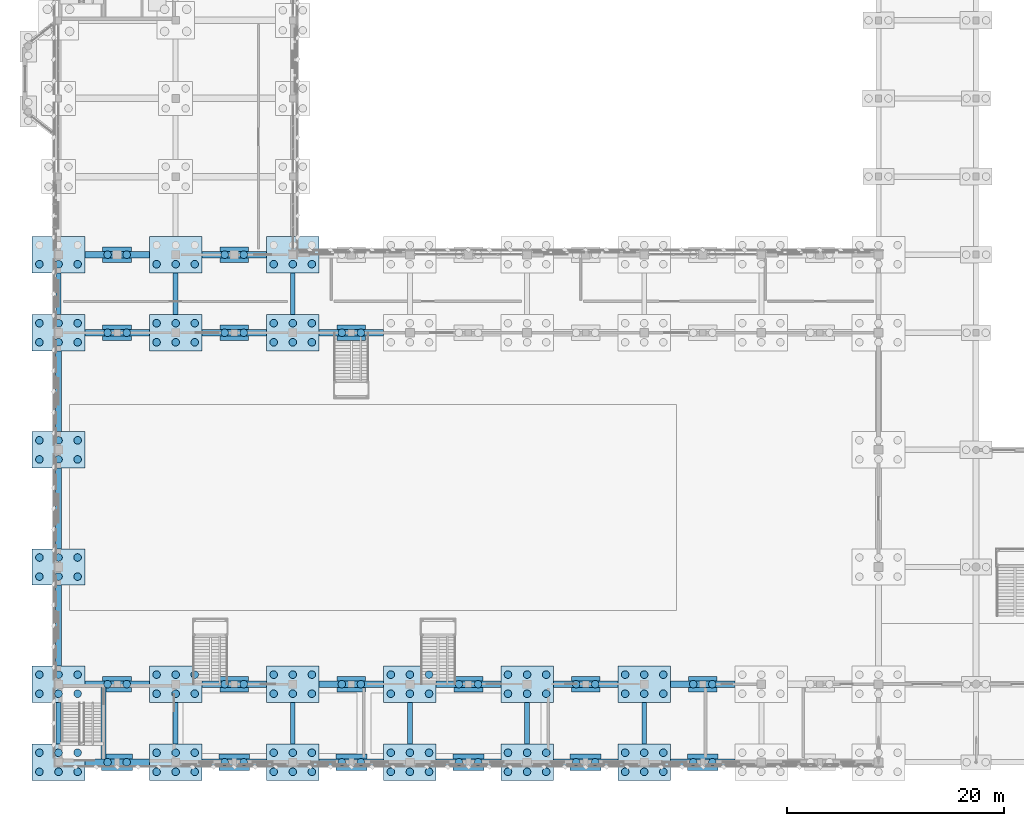
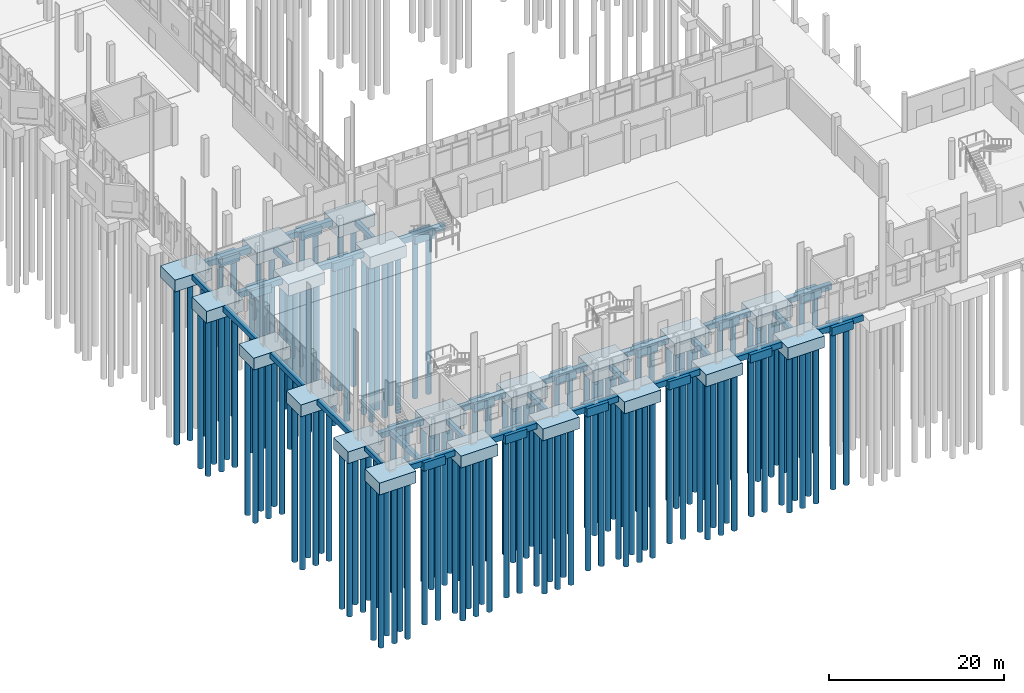
# One storey, part 1 of 109: 145 piles, 67 footings.
"""IFC4 building model written with IfcOpenShell, lengths in metres."""

from ifc_helpers import new_model, si_unit, direction, frame, origin, origin_2d, place, context, subcontext, project, spatial, rectangle, circle, extrude, material, material_profile, profile_set, type_object, element, save


model = new_model("IFC4")

# Units and contexts
model_context = context("Model", 3, precision=1e-05, world=origin(), true_north=direction((0.0, 1.0)))
body_context = subcontext(model_context, "Body", "Model", "MODEL_VIEW")
ifc_project = project(units=[si_unit("LENGTHUNIT", "METRE"), si_unit("AREAUNIT", "SQUARE_METRE"), si_unit("VOLUMEUNIT", "CUBIC_METRE"), si_unit("PLANEANGLEUNIT", "RADIAN"), si_unit("MASSUNIT", "GRAM", prefix="KILO")], contexts=[model_context])

# Site, building, storey
site_placement = place(None, origin())
site = spatial("IfcSite", under=ifc_project, at=site_placement, CompositionType="ELEMENT")
building_placement = place(site_placement, origin())
building = spatial("IfcBuilding", under=site, at=building_placement, Name="Lusvemor Sports Hall", CompositionType="ELEMENT")
storey_placement = place(building_placement, origin())
storey = spatial("IfcBuildingStorey", under=building, at=storey_placement, Name="L00", CompositionType="ELEMENT", Elevation=0.0)

# Footings
ifc_material_1 = material(Name="Concrete C40/50", Category="concrete")
ifc_material_profile_1 = material_profile(ifc_material_1, rectangle(XDim=0.449951171875, YDim=0.64990234375, at=origin_2d()), Name="GB_450x650")
ifc_profile_set_1 = profile_set([ifc_material_profile_1], Name="Concrete C40/50")
footing_type_1 = type_object("IfcFootingType", Name="GBEAM_450x650", PredefinedType="FOOTING_BEAM", material=ifc_profile_set_1)
for number, where, z_axis, x_axis, name in (
    (1, (0.0, 1.673095703125, -0.625), (0.0, 1.0, 0.0), (-1.0, 0.0, 0.0), "Ground Tie Beam 1:A-B"),
    (2, (0.0, 41.27294921875, -0.625), (0.0, 1.0, 0.0), (-1.0, 0.0, 0.0), "Ground Tie Beam 1:E-F"),
    (3, (10.800048828125, 1.673095703125, -0.625), (0.0, 1.0, 0.0), (-1.0, 0.0, 0.0), "Ground Tie Beam 2:A-B"),
    (4, (10.800048828125, 41.27294921875, -0.625), (0.0, 1.0, 0.0), (-1.0, 0.0, 0.0), "Ground Tie Beam 2:E-F"),
    (5, (21.60009765625, 1.673095703125, -0.625), (0.0, 1.0, 0.0), (-1.0, 0.0, 0.0), "Ground Tie Beam 3:A-B"),
    (6, (21.60009765625, 41.27294921875, -0.625), (0.0, 1.0, 0.0), (-1.0, 0.0, 0.0), "Ground Tie Beam 3:E-F"),
    (7, (32.39990234375, 1.673095703125, -0.625), (0.0, 1.0, 0.0), (-1.0, 0.0, 0.0), "Ground Tie Beam 4:A-B"),
    (8, (43.199951171875, 1.673095703125, -0.625), (0.0, 1.0, 0.0), (-1.0, 0.0, 0.0), "Ground Tie Beam 5:A-B"),
    (9, (54.0, 1.673095703125, -0.625), (0.0, 1.0, 0.0), (-1.0, 0.0, 0.0), "Ground Tie Beam 6:A-B"),
):
    element("IfcFooting", number, at=place(storey_placement, frame(where, z_axis=z_axis, x_axis=x_axis)), inside=storey, type_object=footing_type_1, Name=name, PredefinedType="FOOTING_BEAM", context=body_context, shape_type="SweptSolid", body=[
        extrude(rectangle(XDim=0.449951171875, YDim=0.64990234375, at=origin_2d()), origin(), (0.0, 0.0, 1.0), 3.85400390625),
    ])
ifc_material_2 = material(Name="Concrete C40/50", Category="concrete")
ifc_material_profile_2 = material_profile(ifc_material_2, rectangle(XDim=0.5, YDim=0.699951171875, at=origin_2d()), Name="GB_500x700")
ifc_profile_set_2 = profile_set([ifc_material_profile_2], Name="Concrete C40/50")
footing_type_2 = type_object("IfcFootingType", Name="GBEAM_500x700", PredefinedType="FOOTING_BEAM", material=ifc_profile_set_2)
footing_1_placement = place(storey_placement, frame((4.14990234375, 0.0, -0.64990234375), z_axis=(0.0, 1.0, 0.0), x_axis=(-1.0, 0.0, 0.0)))
element("IfcFooting", 10, at=footing_1_placement, inside=storey, type_object=footing_type_2, Name="Core C6 Southwest Hall Divider Ground Beam", PredefinedType="FOOTING_BEAM", context=body_context, shape_type="SweptSolid", body=[
    extrude(rectangle(XDim=0.5, YDim=0.699951171875, at=origin_2d()), origin(), (0.0, 0.0, 1.0), 7.199951171875),
])
ifc_material_3 = material(Name="Concrete C40/50", Category="concrete")
ifc_material_profile_3 = material_profile(ifc_material_3, rectangle(XDim=0.550048828125, YDim=0.75, at=origin_2d()), Name="GB_550x750")
ifc_profile_set_3 = profile_set([ifc_material_profile_3], Name="Concrete C40/50")
footing_type_3 = type_object("IfcFootingType", Name="GBEAM_550x750", PredefinedType="FOOTING_BEAM", material=ifc_profile_set_3)
for number, where, z_axis, x_axis, name in (
    (11, (0.0, 8.873046875, -0.675048828125), (0.0, 1.0, 0.0), (-1.0, 0.0, 0.0), "Ground Tie Beam 1:B-C"),
    (12, (0.0, 19.673095703125, -0.675048828125), (0.0, 1.0, 0.0), (-1.0, 0.0, 0.0), "Ground Tie Beam 1:C-D"),
):
    element("IfcFooting", number, at=place(storey_placement, frame(where, z_axis=z_axis, x_axis=x_axis)), inside=storey, type_object=footing_type_3, Name=name, PredefinedType="FOOTING_BEAM", context=body_context, shape_type="SweptSolid", body=[
        extrude(rectangle(XDim=0.550048828125, YDim=0.75, at=origin_2d()), origin(), (0.0, 0.0, 1.0), 7.453857421875),
    ])
footing_2_placement = place(storey_placement, frame((0.0, 30.472900390625, -0.675048828125), z_axis=(0.0, 1.0, 0.0), x_axis=(-1.0, 0.0, 0.0)))
element("IfcFooting", 13, at=footing_2_placement, inside=storey, type_object=footing_type_3, Name="Ground Tie Beam 1:D-E", PredefinedType="FOOTING_BEAM", context=body_context, shape_type="SweptSolid", body=[
    extrude(rectangle(XDim=0.550048828125, YDim=0.75, at=origin_2d()), origin(), (0.0, 0.0, 1.0), 7.4541015625),
])
ifc_material_4 = material(Name="Concrete C40/50", Category="concrete")
ifc_material_profile_4 = material_profile(ifc_material_4, rectangle(XDim=0.60009765625, YDim=0.800048828125, at=origin_2d()), Name="GB_600x800")
ifc_profile_set_4 = profile_set([ifc_material_profile_4], Name="Concrete C40/50")
footing_type_4 = type_object("IfcFootingType", Name="GBEAM_600x800", PredefinedType="FOOTING_BEAM", material=ifc_profile_set_4)
footing_3_placement = place(storey_placement, frame((2.423095703125, 0.0, -0.699951171875), z_axis=(1.0, 0.0, 0.0), x_axis=(0.0, 1.0, 0.0)))
element("IfcFooting", 14, at=footing_3_placement, inside=storey, type_object=footing_type_4, Name="Ground Tie Beam A:1-2", PredefinedType="FOOTING_BEAM", context=body_context, shape_type="SweptSolid", body=[
    extrude(rectangle(XDim=0.60009765625, YDim=0.800048828125, at=origin_2d()), origin(), (0.0, 0.0, 1.0), 5.953857421875),
])
for number, where, z_axis, x_axis, name in (
    (15, (13.222900390625, 0.0, -0.699951171875), (1.0, 0.0, 0.0), (0.0, 1.0, 0.0), "Ground Tie Beam A:2-3"),
    (16, (24.02294921875, 0.0, -0.699951171875), (1.0, 0.0, 0.0), (0.0, 1.0, 0.0), "Ground Tie Beam A:3-4"),
    (17, (34.822998046875, 0.0, -0.699951171875), (1.0, 0.0, 0.0), (0.0, 1.0, 0.0), "Ground Tie Beam A:4-5"),
):
    element("IfcFooting", number, at=place(storey_placement, frame(where, z_axis=z_axis, x_axis=x_axis)), inside=storey, type_object=footing_type_4, Name=name, PredefinedType="FOOTING_BEAM", context=body_context, shape_type="SweptSolid", body=[
        extrude(rectangle(XDim=0.60009765625, YDim=0.800048828125, at=origin_2d()), origin(), (0.0, 0.0, 1.0), 5.9541015625),
    ])
for number, where, z_axis, x_axis, name in (
    (18, (45.623046875, 0.0, -0.699951171875), (1.0, 0.0, 0.0), (0.0, 1.0, 0.0), "Ground Tie Beam A:5-6"),
    (19, (56.423095703125, 0.0, -0.699951171875), (1.0, 0.0, 0.0), (0.0, 1.0, 0.0), "Ground Tie Beam A:6-7"),
    (20, (2.423095703125, 7.199951171875, -0.699951171875), (1.0, 0.0, 0.0), (0.0, 1.0, 0.0), "Ground Tie Beam B:1-2"),
):
    element("IfcFooting", number, at=place(storey_placement, frame(where, z_axis=z_axis, x_axis=x_axis)), inside=storey, type_object=footing_type_4, Name=name, PredefinedType="FOOTING_BEAM", context=body_context, shape_type="SweptSolid", body=[
        extrude(rectangle(XDim=0.60009765625, YDim=0.800048828125, at=origin_2d()), origin(), (0.0, 0.0, 1.0), 5.953857421875),
    ])
for number, where, z_axis, x_axis, name in (
    (21, (13.222900390625, 7.199951171875, -0.699951171875), (1.0, 0.0, 0.0), (0.0, 1.0, 0.0), "Ground Tie Beam B:2-3"),
    (22, (24.02294921875, 7.199951171875, -0.699951171875), (1.0, 0.0, 0.0), (0.0, 1.0, 0.0), "Ground Tie Beam B:3-4"),
    (23, (34.822998046875, 7.199951171875, -0.699951171875), (1.0, 0.0, 0.0), (0.0, 1.0, 0.0), "Ground Tie Beam B:4-5"),
):
    element("IfcFooting", number, at=place(storey_placement, frame(where, z_axis=z_axis, x_axis=x_axis)), inside=storey, type_object=footing_type_4, Name=name, PredefinedType="FOOTING_BEAM", context=body_context, shape_type="SweptSolid", body=[
        extrude(rectangle(XDim=0.60009765625, YDim=0.800048828125, at=origin_2d()), origin(), (0.0, 0.0, 1.0), 5.9541015625),
    ])
for number, where, z_axis, x_axis, name in (
    (24, (45.623046875, 7.199951171875, -0.699951171875), (1.0, 0.0, 0.0), (0.0, 1.0, 0.0), "Ground Tie Beam B:5-6"),
    (25, (56.423095703125, 7.199951171875, -0.699951171875), (1.0, 0.0, 0.0), (0.0, 1.0, 0.0), "Ground Tie Beam B:6-7"),
    (26, (2.423095703125, 39.60009765625, -0.699951171875), (1.0, 0.0, 0.0), (0.0, 1.0, 0.0), "Ground Tie Beam E:1-2"),
):
    element("IfcFooting", number, at=place(storey_placement, frame(where, z_axis=z_axis, x_axis=x_axis)), inside=storey, type_object=footing_type_4, Name=name, PredefinedType="FOOTING_BEAM", context=body_context, shape_type="SweptSolid", body=[
        extrude(rectangle(XDim=0.60009765625, YDim=0.800048828125, at=origin_2d()), origin(), (0.0, 0.0, 1.0), 5.953857421875),
    ])
for number, where, z_axis, x_axis, name in (
    (27, (13.222900390625, 39.60009765625, -0.699951171875), (1.0, 0.0, 0.0), (0.0, 1.0, 0.0), "Ground Tie Beam E:2-3"),
    (28, (24.02294921875, 39.60009765625, -0.699951171875), (1.0, 0.0, 0.0), (0.0, 1.0, 0.0), "Ground Tie Beam E:3-4"),
):
    element("IfcFooting", number, at=place(storey_placement, frame(where, z_axis=z_axis, x_axis=x_axis)), inside=storey, type_object=footing_type_4, Name=name, PredefinedType="FOOTING_BEAM", context=body_context, shape_type="SweptSolid", body=[
        extrude(rectangle(XDim=0.60009765625, YDim=0.800048828125, at=origin_2d()), origin(), (0.0, 0.0, 1.0), 5.9541015625),
    ])
footing_4_placement = place(storey_placement, frame((2.423095703125, 46.800048828125, -0.699951171875), z_axis=(1.0, 0.0, 0.0), x_axis=(0.0, 1.0, 0.0)))
element("IfcFooting", 29, at=footing_4_placement, inside=storey, type_object=footing_type_4, Name="Ground Tie Beam F:1-2", PredefinedType="FOOTING_BEAM", context=body_context, shape_type="SweptSolid", body=[
    extrude(rectangle(XDim=0.60009765625, YDim=0.800048828125, at=origin_2d()), origin(), (0.0, 0.0, 1.0), 5.953857421875),
])
footing_5_placement = place(storey_placement, frame((13.222900390625, 46.800048828125, -0.699951171875), z_axis=(1.0, 0.0, 0.0), x_axis=(0.0, 1.0, 0.0)))
element("IfcFooting", 30, at=footing_5_placement, inside=storey, type_object=footing_type_4, Name="Ground Tie Beam F:2-3", PredefinedType="FOOTING_BEAM", context=body_context, shape_type="SweptSolid", body=[
    extrude(rectangle(XDim=0.60009765625, YDim=0.800048828125, at=origin_2d()), origin(), (0.0, 0.0, 1.0), 5.9541015625),
])
ifc_material_5 = material(Name="Concrete C40/50", Category="concrete")
footing_type_5 = type_object("IfcFootingType", Name="PCAP_2P_A", PredefinedType="PILE_CAP", material=ifc_material_5)
for number, where, z_axis, x_axis, name in (
    (31, (5.39990234375, 46.800048828125, -1.400146484375), (0.0, 0.0, 1.0), (1.0, 0.0, 0.0), "Wave Courtyard Cap N1"),
    (32, (5.39990234375, 7.199951171875, -1.400146484375), (0.0, 0.0, 1.0), (1.0, 0.0, 0.0), "Wave Mid-Bay Cap S1"),
    (33, (5.39990234375, 39.60009765625, -1.400146484375), (0.0, 0.0, 1.0), (1.0, 0.0, 0.0), "Wave Mid-Bay Cap N1"),
    (34, (16.199951171875, 46.800048828125, -1.400146484375), (0.0, 0.0, 1.0), (1.0, 0.0, 0.0), "Wave Courtyard Cap N2"),
    (35, (16.199951171875, 7.199951171875, -1.400146484375), (0.0, 0.0, 1.0), (1.0, 0.0, 0.0), "Wave Mid-Bay Cap S2"),
    (36, (16.199951171875, 39.60009765625, -1.400146484375), (0.0, 0.0, 1.0), (1.0, 0.0, 0.0), "Wave Mid-Bay Cap N2"),
    (37, (27.0, 7.199951171875, -1.400146484375), (0.0, 0.0, 1.0), (1.0, 0.0, 0.0), "Wave Mid-Bay Cap S3"),
    (38, (27.0, 39.60009765625, -1.400146484375), (0.0, 0.0, 1.0), (1.0, 0.0, 0.0), "Wave Mid-Bay Cap N3"),
    (39, (37.800048828125, 7.199951171875, -1.400146484375), (0.0, 0.0, 1.0), (1.0, 0.0, 0.0), "Wave Mid-Bay Cap S4"),
    (40, (48.60009765625, 7.199951171875, -1.400146484375), (0.0, 0.0, 1.0), (1.0, 0.0, 0.0), "Wave Mid-Bay Cap S5"),
    (41, (59.39990234375, 7.199951171875, -1.400146484375), (0.0, 0.0, 1.0), (1.0, 0.0, 0.0), "Wave Mid-Bay Cap S6"),
):
    element("IfcFooting", number, at=place(storey_placement, frame(where, z_axis=z_axis, x_axis=x_axis)), inside=storey, type_object=footing_type_5, Name=name, PredefinedType="PILE_CAP", context=body_context, shape_type="SweptSolid", body=[
        extrude(rectangle(XDim=2.64990234375, YDim=1.39990234375, at=origin_2d()), origin(), (0.0, 0.0, 1.0), 1.10009765625),
    ])
ifc_material_6 = material(Name="Concrete C40/50", Category="concrete")
footing_type_6 = type_object("IfcFootingType", Name="PCAP_2P_B", PredefinedType="PILE_CAP", material=ifc_material_6)
for number, where, z_axis, x_axis, name in (
    (42, (16.199951171875, 0.0, -1.449951171875), (0.0, 0.0, 1.0), (1.0, 0.0, 0.0), "Pilaster Cap S1"),
    (43, (27.0, 0.0, -1.449951171875), (0.0, 0.0, 1.0), (1.0, 0.0, 0.0), "Pilaster Cap S2"),
    (44, (37.800048828125, 0.0, -1.449951171875), (0.0, 0.0, 1.0), (1.0, 0.0, 0.0), "Pilaster Cap S3"),
    (45, (48.60009765625, 0.0, -1.449951171875), (0.0, 0.0, 1.0), (1.0, 0.0, 0.0), "Pilaster Cap S4"),
    (46, (59.39990234375, 0.0, -1.449951171875), (0.0, 0.0, 1.0), (1.0, 0.0, 0.0), "Pilaster Cap S5"),
    (47, (5.39990234375, 0.0, -1.449951171875), (0.0, 0.0, 1.0), (1.0, 0.0, 0.0), "Pilaster Cap S0"),
):
    element("IfcFooting", number, at=place(storey_placement, frame(where, z_axis=z_axis, x_axis=x_axis)), inside=storey, type_object=footing_type_6, Name=name, PredefinedType="PILE_CAP", context=body_context, shape_type="SweptSolid", body=[
        extrude(rectangle(XDim=2.85009765625, YDim=1.5, at=origin_2d()), origin(), (0.0, 0.0, 1.0), 1.14990234375),
    ])
ifc_material_7 = material(Name="Concrete C40/50", Category="concrete")
footing_type_7 = type_object("IfcFootingType", Name="PCAP_6P_HALL", PredefinedType="PILE_CAP", material=ifc_material_7)
for number, where, z_axis, x_axis, name in (
    (48, (0.0, 0.0, -1.949951171875), (0.0, 0.0, 1.0), (1.0, 0.0, 0.0), "Pile Cap 1/A"),
    (49, (0.0, 7.199951171875, -1.949951171875), (0.0, 0.0, 1.0), (1.0, 0.0, 0.0), "Pile Cap 1/B"),
    (50, (0.0, 18.0, -1.949951171875), (0.0, 0.0, 1.0), (1.0, 0.0, 0.0), "Pile Cap 1/C"),
    (51, (0.0, 28.800048828125, -1.949951171875), (0.0, 0.0, 1.0), (1.0, 0.0, 0.0), "Pile Cap 1/D"),
    (52, (0.0, 39.60009765625, -1.949951171875), (0.0, 0.0, 1.0), (1.0, 0.0, 0.0), "Pile Cap 1/E"),
    (53, (0.0, 46.800048828125, -1.949951171875), (0.0, 0.0, 1.0), (1.0, 0.0, 0.0), "Pile Cap 1/F"),
    (54, (10.800048828125, 0.0, -1.949951171875), (0.0, 0.0, 1.0), (1.0, 0.0, 0.0), "Pile Cap 2/A"),
    (55, (10.800048828125, 7.199951171875, -1.949951171875), (0.0, 0.0, 1.0), (1.0, 0.0, 0.0), "Pile Cap 2/B"),
    (56, (10.800048828125, 39.60009765625, -1.949951171875), (0.0, 0.0, 1.0), (1.0, 0.0, 0.0), "Pile Cap 2/E"),
    (57, (10.800048828125, 46.800048828125, -1.949951171875), (0.0, 0.0, 1.0), (1.0, 0.0, 0.0), "Pile Cap 2/F"),
    (58, (21.60009765625, 0.0, -1.949951171875), (0.0, 0.0, 1.0), (1.0, 0.0, 0.0), "Pile Cap 3/A"),
    (59, (21.60009765625, 7.199951171875, -1.949951171875), (0.0, 0.0, 1.0), (1.0, 0.0, 0.0), "Pile Cap 3/B"),
    (60, (21.60009765625, 39.60009765625, -1.949951171875), (0.0, 0.0, 1.0), (1.0, 0.0, 0.0), "Pile Cap 3/E"),
    (61, (21.60009765625, 46.800048828125, -1.949951171875), (0.0, 0.0, 1.0), (1.0, 0.0, 0.0), "Pile Cap 3/F"),
    (62, (32.39990234375, 0.0, -1.949951171875), (0.0, 0.0, 1.0), (1.0, 0.0, 0.0), "Pile Cap 4/A"),
    (63, (32.39990234375, 7.199951171875, -1.949951171875), (0.0, 0.0, 1.0), (1.0, 0.0, 0.0), "Pile Cap 4/B"),
    (64, (43.199951171875, 0.0, -1.949951171875), (0.0, 0.0, 1.0), (1.0, 0.0, 0.0), "Pile Cap 5/A"),
    (65, (43.199951171875, 7.199951171875, -1.949951171875), (0.0, 0.0, 1.0), (1.0, 0.0, 0.0), "Pile Cap 5/B"),
    (66, (54.0, 0.0, -1.949951171875), (0.0, 0.0, 1.0), (1.0, 0.0, 0.0), "Pile Cap 6/A"),
    (67, (54.0, 7.199951171875, -1.949951171875), (0.0, 0.0, 1.0), (1.0, 0.0, 0.0), "Pile Cap 6/B"),
):
    element("IfcFooting", number, at=place(storey_placement, frame(where, z_axis=z_axis, x_axis=x_axis)), inside=storey, type_object=footing_type_7, Name=name, PredefinedType="PILE_CAP", context=body_context, shape_type="SweptSolid", body=[
        extrude(rectangle(XDim=4.85009765625, YDim=3.35009765625, at=origin_2d()), origin(), (0.0, 0.0, 1.0), 1.64990234375),
    ])

# Piles
ifc_material_8 = material(Name="Concrete C40/50", Category="concrete")
ifc_material_profile_5 = material_profile(ifc_material_8, circle(Radius=0.35009765625, at=origin_2d()), Name="PILE700")
ifc_profile_set_5 = profile_set([ifc_material_profile_5], Name="Concrete C40/50")
pile_type = type_object("IfcPileType", Name="PILE_BORED_700", PredefinedType="BORED", material=ifc_profile_set_5)
for number, where, z_axis, x_axis, name in (
    (68, (-1.760009765625, -0.8798828125, -1.85009765625), (0.0, 0.0, -1.0), (1.0, 0.0, 0.0), "Bored Pile 1/A-1"),
    (69, (0.0, -0.8798828125, -1.85009765625), (0.0, 0.0, -1.0), (1.0, 0.0, 0.0), "Bored Pile 1/A-2"),
    (70, (1.760009765625, -0.8798828125, -1.85009765625), (0.0, 0.0, -1.0), (1.0, 0.0, 0.0), "Bored Pile 1/A-3"),
    (71, (-1.760009765625, 0.8798828125, -1.85009765625), (0.0, 0.0, -1.0), (1.0, 0.0, 0.0), "Bored Pile 1/A-4"),
    (72, (0.0, 0.8798828125, -1.85009765625), (0.0, 0.0, -1.0), (1.0, 0.0, 0.0), "Bored Pile 1/A-5"),
    (73, (1.760009765625, 0.8798828125, -1.85009765625), (0.0, 0.0, -1.0), (1.0, 0.0, 0.0), "Bored Pile 1/A-6"),
    (74, (-1.760009765625, 6.320068359375, -1.85009765625), (0.0, 0.0, -1.0), (1.0, 0.0, 0.0), "Bored Pile 1/B-1"),
    (75, (0.0, 6.320068359375, -1.85009765625), (0.0, 0.0, -1.0), (1.0, 0.0, 0.0), "Bored Pile 1/B-2"),
    (76, (1.760009765625, 6.320068359375, -1.85009765625), (0.0, 0.0, -1.0), (1.0, 0.0, 0.0), "Bored Pile 1/B-3"),
    (77, (-1.760009765625, 8.080078125, -1.85009765625), (0.0, 0.0, -1.0), (1.0, 0.0, 0.0), "Bored Pile 1/B-4"),
    (78, (0.0, 8.080078125, -1.85009765625), (0.0, 0.0, -1.0), (1.0, 0.0, 0.0), "Bored Pile 1/B-5"),
    (79, (1.760009765625, 8.080078125, -1.85009765625), (0.0, 0.0, -1.0), (1.0, 0.0, 0.0), "Bored Pile 1/B-6"),
    (80, (-1.760009765625, 17.1201171875, -1.85009765625), (0.0, 0.0, -1.0), (1.0, 0.0, 0.0), "Bored Pile 1/C-1"),
    (81, (0.0, 17.1201171875, -1.85009765625), (0.0, 0.0, -1.0), (1.0, 0.0, 0.0), "Bored Pile 1/C-2"),
    (82, (1.760009765625, 17.1201171875, -1.85009765625), (0.0, 0.0, -1.0), (1.0, 0.0, 0.0), "Bored Pile 1/C-3"),
    (83, (-1.760009765625, 18.8798828125, -1.85009765625), (0.0, 0.0, -1.0), (1.0, 0.0, 0.0), "Bored Pile 1/C-4"),
    (84, (0.0, 18.8798828125, -1.85009765625), (0.0, 0.0, -1.0), (1.0, 0.0, 0.0), "Bored Pile 1/C-5"),
    (85, (1.760009765625, 18.8798828125, -1.85009765625), (0.0, 0.0, -1.0), (1.0, 0.0, 0.0), "Bored Pile 1/C-6"),
    (86, (-1.760009765625, 27.919921875, -1.85009765625), (0.0, 0.0, -1.0), (1.0, 0.0, 0.0), "Bored Pile 1/D-1"),
    (87, (0.0, 27.919921875, -1.85009765625), (0.0, 0.0, -1.0), (1.0, 0.0, 0.0), "Bored Pile 1/D-2"),
    (88, (1.760009765625, 27.919921875, -1.85009765625), (0.0, 0.0, -1.0), (1.0, 0.0, 0.0), "Bored Pile 1/D-3"),
    (89, (-1.760009765625, 29.679931640625, -1.85009765625), (0.0, 0.0, -1.0), (1.0, 0.0, 0.0), "Bored Pile 1/D-4"),
    (90, (0.0, 29.679931640625, -1.85009765625), (0.0, 0.0, -1.0), (1.0, 0.0, 0.0), "Bored Pile 1/D-5"),
    (91, (1.760009765625, 29.679931640625, -1.85009765625), (0.0, 0.0, -1.0), (1.0, 0.0, 0.0), "Bored Pile 1/D-6"),
    (92, (-1.760009765625, 38.719970703125, -1.85009765625), (0.0, 0.0, -1.0), (1.0, 0.0, 0.0), "Bored Pile 1/E-1"),
    (93, (0.0, 38.719970703125, -1.85009765625), (0.0, 0.0, -1.0), (1.0, 0.0, 0.0), "Bored Pile 1/E-2"),
    (94, (1.760009765625, 38.719970703125, -1.85009765625), (0.0, 0.0, -1.0), (1.0, 0.0, 0.0), "Bored Pile 1/E-3"),
    (95, (-1.760009765625, 40.47998046875, -1.85009765625), (0.0, 0.0, -1.0), (1.0, 0.0, 0.0), "Bored Pile 1/E-4"),
    (96, (0.0, 40.47998046875, -1.85009765625), (0.0, 0.0, -1.0), (1.0, 0.0, 0.0), "Bored Pile 1/E-5"),
    (97, (1.760009765625, 40.47998046875, -1.85009765625), (0.0, 0.0, -1.0), (1.0, 0.0, 0.0), "Bored Pile 1/E-6"),
    (98, (-1.760009765625, 45.919921875, -1.85009765625), (0.0, 0.0, -1.0), (1.0, 0.0, 0.0), "Bored Pile 1/F-1"),
    (99, (0.0, 45.919921875, -1.85009765625), (0.0, 0.0, -1.0), (1.0, 0.0, 0.0), "Bored Pile 1/F-2"),
    (100, (1.760009765625, 45.919921875, -1.85009765625), (0.0, 0.0, -1.0), (1.0, 0.0, 0.0), "Bored Pile 1/F-3"),
    (101, (9.0400390625, -0.8798828125, -1.85009765625), (0.0, 0.0, -1.0), (1.0, 0.0, 0.0), "Bored Pile 2/A-1"),
    (102, (10.800048828125, -0.8798828125, -1.85009765625), (0.0, 0.0, -1.0), (1.0, 0.0, 0.0), "Bored Pile 2/A-2"),
    (103, (12.56005859375, -0.8798828125, -1.85009765625), (0.0, 0.0, -1.0), (1.0, 0.0, 0.0), "Bored Pile 2/A-3"),
    (104, (9.0400390625, 0.8798828125, -1.85009765625), (0.0, 0.0, -1.0), (1.0, 0.0, 0.0), "Bored Pile 2/A-4"),
    (105, (10.800048828125, 0.8798828125, -1.85009765625), (0.0, 0.0, -1.0), (1.0, 0.0, 0.0), "Bored Pile 2/A-5"),
    (106, (12.56005859375, 0.8798828125, -1.85009765625), (0.0, 0.0, -1.0), (1.0, 0.0, 0.0), "Bored Pile 2/A-6"),
    (107, (9.0400390625, 6.320068359375, -1.85009765625), (0.0, 0.0, -1.0), (1.0, 0.0, 0.0), "Bored Pile 2/B-1"),
    (108, (10.800048828125, 6.320068359375, -1.85009765625), (0.0, 0.0, -1.0), (1.0, 0.0, 0.0), "Bored Pile 2/B-2"),
    (109, (12.56005859375, 6.320068359375, -1.85009765625), (0.0, 0.0, -1.0), (1.0, 0.0, 0.0), "Bored Pile 2/B-3"),
    (110, (9.0400390625, 8.080078125, -1.85009765625), (0.0, 0.0, -1.0), (1.0, 0.0, 0.0), "Bored Pile 2/B-4"),
    (111, (10.800048828125, 8.080078125, -1.85009765625), (0.0, 0.0, -1.0), (1.0, 0.0, 0.0), "Bored Pile 2/B-5"),
    (112, (12.56005859375, 8.080078125, -1.85009765625), (0.0, 0.0, -1.0), (1.0, 0.0, 0.0), "Bored Pile 2/B-6"),
    (113, (9.0400390625, 38.719970703125, -1.85009765625), (0.0, 0.0, -1.0), (1.0, 0.0, 0.0), "Bored Pile 2/E-1"),
    (114, (10.800048828125, 38.719970703125, -1.85009765625), (0.0, 0.0, -1.0), (1.0, 0.0, 0.0), "Bored Pile 2/E-2"),
    (115, (12.56005859375, 38.719970703125, -1.85009765625), (0.0, 0.0, -1.0), (1.0, 0.0, 0.0), "Bored Pile 2/E-3"),
    (116, (9.0400390625, 40.47998046875, -1.85009765625), (0.0, 0.0, -1.0), (1.0, 0.0, 0.0), "Bored Pile 2/E-4"),
    (117, (10.800048828125, 40.47998046875, -1.85009765625), (0.0, 0.0, -1.0), (1.0, 0.0, 0.0), "Bored Pile 2/E-5"),
    (118, (12.56005859375, 40.47998046875, -1.85009765625), (0.0, 0.0, -1.0), (1.0, 0.0, 0.0), "Bored Pile 2/E-6"),
    (119, (9.0400390625, 45.919921875, -1.85009765625), (0.0, 0.0, -1.0), (1.0, 0.0, 0.0), "Bored Pile 2/F-1"),
    (120, (10.800048828125, 45.919921875, -1.85009765625), (0.0, 0.0, -1.0), (1.0, 0.0, 0.0), "Bored Pile 2/F-2"),
    (121, (12.56005859375, 45.919921875, -1.85009765625), (0.0, 0.0, -1.0), (1.0, 0.0, 0.0), "Bored Pile 2/F-3"),
    (122, (19.840087890625, -0.8798828125, -1.85009765625), (0.0, 0.0, -1.0), (1.0, 0.0, 0.0), "Bored Pile 3/A-1"),
    (123, (21.60009765625, -0.8798828125, -1.85009765625), (0.0, 0.0, -1.0), (1.0, 0.0, 0.0), "Bored Pile 3/A-2"),
    (124, (23.360107421875, -0.8798828125, -1.85009765625), (0.0, 0.0, -1.0), (1.0, 0.0, 0.0), "Bored Pile 3/A-3"),
    (125, (19.840087890625, 0.8798828125, -1.85009765625), (0.0, 0.0, -1.0), (1.0, 0.0, 0.0), "Bored Pile 3/A-4"),
    (126, (21.60009765625, 0.8798828125, -1.85009765625), (0.0, 0.0, -1.0), (1.0, 0.0, 0.0), "Bored Pile 3/A-5"),
    (127, (23.360107421875, 0.8798828125, -1.85009765625), (0.0, 0.0, -1.0), (1.0, 0.0, 0.0), "Bored Pile 3/A-6"),
    (128, (19.840087890625, 6.320068359375, -1.85009765625), (0.0, 0.0, -1.0), (1.0, 0.0, 0.0), "Bored Pile 3/B-1"),
    (129, (21.60009765625, 6.320068359375, -1.85009765625), (0.0, 0.0, -1.0), (1.0, 0.0, 0.0), "Bored Pile 3/B-2"),
    (130, (23.360107421875, 6.320068359375, -1.85009765625), (0.0, 0.0, -1.0), (1.0, 0.0, 0.0), "Bored Pile 3/B-3"),
    (131, (19.840087890625, 8.080078125, -1.85009765625), (0.0, 0.0, -1.0), (1.0, 0.0, 0.0), "Bored Pile 3/B-4"),
    (132, (21.60009765625, 8.080078125, -1.85009765625), (0.0, 0.0, -1.0), (1.0, 0.0, 0.0), "Bored Pile 3/B-5"),
    (133, (23.360107421875, 8.080078125, -1.85009765625), (0.0, 0.0, -1.0), (1.0, 0.0, 0.0), "Bored Pile 3/B-6"),
    (134, (19.840087890625, 38.719970703125, -1.85009765625), (0.0, 0.0, -1.0), (1.0, 0.0, 0.0), "Bored Pile 3/E-1"),
    (135, (21.60009765625, 38.719970703125, -1.85009765625), (0.0, 0.0, -1.0), (1.0, 0.0, 0.0), "Bored Pile 3/E-2"),
    (136, (23.360107421875, 38.719970703125, -1.85009765625), (0.0, 0.0, -1.0), (1.0, 0.0, 0.0), "Bored Pile 3/E-3"),
    (137, (19.840087890625, 40.47998046875, -1.85009765625), (0.0, 0.0, -1.0), (1.0, 0.0, 0.0), "Bored Pile 3/E-4"),
    (138, (21.60009765625, 40.47998046875, -1.85009765625), (0.0, 0.0, -1.0), (1.0, 0.0, 0.0), "Bored Pile 3/E-5"),
    (139, (23.360107421875, 40.47998046875, -1.85009765625), (0.0, 0.0, -1.0), (1.0, 0.0, 0.0), "Bored Pile 3/E-6"),
    (140, (19.840087890625, 45.919921875, -1.85009765625), (0.0, 0.0, -1.0), (1.0, 0.0, 0.0), "Bored Pile 3/F-1"),
    (141, (21.60009765625, 45.919921875, -1.85009765625), (0.0, 0.0, -1.0), (1.0, 0.0, 0.0), "Bored Pile 3/F-2"),
    (142, (23.360107421875, 45.919921875, -1.85009765625), (0.0, 0.0, -1.0), (1.0, 0.0, 0.0), "Bored Pile 3/F-3"),
    (143, (30.639892578125, -0.8798828125, -1.85009765625), (0.0, 0.0, -1.0), (1.0, 0.0, 0.0), "Bored Pile 4/A-1"),
    (144, (32.39990234375, -0.8798828125, -1.85009765625), (0.0, 0.0, -1.0), (1.0, 0.0, 0.0), "Bored Pile 4/A-2"),
    (145, (34.159912109375, -0.8798828125, -1.85009765625), (0.0, 0.0, -1.0), (1.0, 0.0, 0.0), "Bored Pile 4/A-3"),
    (146, (30.639892578125, 0.8798828125, -1.85009765625), (0.0, 0.0, -1.0), (1.0, 0.0, 0.0), "Bored Pile 4/A-4"),
    (147, (32.39990234375, 0.8798828125, -1.85009765625), (0.0, 0.0, -1.0), (1.0, 0.0, 0.0), "Bored Pile 4/A-5"),
    (148, (34.159912109375, 0.8798828125, -1.85009765625), (0.0, 0.0, -1.0), (1.0, 0.0, 0.0), "Bored Pile 4/A-6"),
    (149, (30.639892578125, 6.320068359375, -1.85009765625), (0.0, 0.0, -1.0), (1.0, 0.0, 0.0), "Bored Pile 4/B-1"),
    (150, (32.39990234375, 6.320068359375, -1.85009765625), (0.0, 0.0, -1.0), (1.0, 0.0, 0.0), "Bored Pile 4/B-2"),
    (151, (34.159912109375, 6.320068359375, -1.85009765625), (0.0, 0.0, -1.0), (1.0, 0.0, 0.0), "Bored Pile 4/B-3"),
    (152, (30.639892578125, 8.080078125, -1.85009765625), (0.0, 0.0, -1.0), (1.0, 0.0, 0.0), "Bored Pile 4/B-4"),
    (153, (32.39990234375, 8.080078125, -1.85009765625), (0.0, 0.0, -1.0), (1.0, 0.0, 0.0), "Bored Pile 4/B-5"),
    (154, (34.159912109375, 8.080078125, -1.85009765625), (0.0, 0.0, -1.0), (1.0, 0.0, 0.0), "Bored Pile 4/B-6"),
    (155, (41.43994140625, -0.8798828125, -1.85009765625), (0.0, 0.0, -1.0), (1.0, 0.0, 0.0), "Bored Pile 5/A-1"),
    (156, (43.199951171875, -0.8798828125, -1.85009765625), (0.0, 0.0, -1.0), (1.0, 0.0, 0.0), "Bored Pile 5/A-2"),
    (157, (44.9599609375, -0.8798828125, -1.85009765625), (0.0, 0.0, -1.0), (1.0, 0.0, 0.0), "Bored Pile 5/A-3"),
    (158, (41.43994140625, 0.8798828125, -1.85009765625), (0.0, 0.0, -1.0), (1.0, 0.0, 0.0), "Bored Pile 5/A-4"),
    (159, (43.199951171875, 0.8798828125, -1.85009765625), (0.0, 0.0, -1.0), (1.0, 0.0, 0.0), "Bored Pile 5/A-5"),
    (160, (44.9599609375, 0.8798828125, -1.85009765625), (0.0, 0.0, -1.0), (1.0, 0.0, 0.0), "Bored Pile 5/A-6"),
    (161, (41.43994140625, 6.320068359375, -1.85009765625), (0.0, 0.0, -1.0), (1.0, 0.0, 0.0), "Bored Pile 5/B-1"),
    (162, (43.199951171875, 6.320068359375, -1.85009765625), (0.0, 0.0, -1.0), (1.0, 0.0, 0.0), "Bored Pile 5/B-2"),
    (163, (44.9599609375, 6.320068359375, -1.85009765625), (0.0, 0.0, -1.0), (1.0, 0.0, 0.0), "Bored Pile 5/B-3"),
    (164, (41.43994140625, 8.080078125, -1.85009765625), (0.0, 0.0, -1.0), (1.0, 0.0, 0.0), "Bored Pile 5/B-4"),
    (165, (43.199951171875, 8.080078125, -1.85009765625), (0.0, 0.0, -1.0), (1.0, 0.0, 0.0), "Bored Pile 5/B-5"),
    (166, (44.9599609375, 8.080078125, -1.85009765625), (0.0, 0.0, -1.0), (1.0, 0.0, 0.0), "Bored Pile 5/B-6"),
    (167, (52.239990234375, -0.8798828125, -1.85009765625), (0.0, 0.0, -1.0), (1.0, 0.0, 0.0), "Bored Pile 6/A-1"),
    (168, (54.0, -0.8798828125, -1.85009765625), (0.0, 0.0, -1.0), (1.0, 0.0, 0.0), "Bored Pile 6/A-2"),
    (169, (55.760009765625, -0.8798828125, -1.85009765625), (0.0, 0.0, -1.0), (1.0, 0.0, 0.0), "Bored Pile 6/A-3"),
    (170, (52.239990234375, 0.8798828125, -1.85009765625), (0.0, 0.0, -1.0), (1.0, 0.0, 0.0), "Bored Pile 6/A-4"),
    (171, (54.0, 0.8798828125, -1.85009765625), (0.0, 0.0, -1.0), (1.0, 0.0, 0.0), "Bored Pile 6/A-5"),
    (172, (55.760009765625, 0.8798828125, -1.85009765625), (0.0, 0.0, -1.0), (1.0, 0.0, 0.0), "Bored Pile 6/A-6"),
    (173, (52.239990234375, 6.320068359375, -1.85009765625), (0.0, 0.0, -1.0), (1.0, 0.0, 0.0), "Bored Pile 6/B-1"),
    (174, (54.0, 6.320068359375, -1.85009765625), (0.0, 0.0, -1.0), (1.0, 0.0, 0.0), "Bored Pile 6/B-2"),
    (175, (55.760009765625, 6.320068359375, -1.85009765625), (0.0, 0.0, -1.0), (1.0, 0.0, 0.0), "Bored Pile 6/B-3"),
    (176, (52.239990234375, 8.080078125, -1.85009765625), (0.0, 0.0, -1.0), (1.0, 0.0, 0.0), "Bored Pile 6/B-4"),
    (177, (54.0, 8.080078125, -1.85009765625), (0.0, 0.0, -1.0), (1.0, 0.0, 0.0), "Bored Pile 6/B-5"),
    (178, (55.760009765625, 8.080078125, -1.85009765625), (0.0, 0.0, -1.0), (1.0, 0.0, 0.0), "Bored Pile 6/B-6"),
    (179, (15.320068359375, 0.0, -1.35009765625), (0.0, 0.0, -1.0), (1.0, 0.0, 0.0), "Pilaster Bored Pile S1-1"),
    (180, (17.080078125, 0.0, -1.35009765625), (0.0, 0.0, -1.0), (1.0, 0.0, 0.0), "Pilaster Bored Pile S1-2"),
    (181, (26.1201171875, 0.0, -1.35009765625), (0.0, 0.0, -1.0), (1.0, 0.0, 0.0), "Pilaster Bored Pile S2-1"),
    (182, (27.8798828125, 0.0, -1.35009765625), (0.0, 0.0, -1.0), (1.0, 0.0, 0.0), "Pilaster Bored Pile S2-2"),
    (183, (36.919921875, 0.0, -1.35009765625), (0.0, 0.0, -1.0), (1.0, 0.0, 0.0), "Pilaster Bored Pile S3-1"),
    (184, (38.679931640625, 0.0, -1.35009765625), (0.0, 0.0, -1.0), (1.0, 0.0, 0.0), "Pilaster Bored Pile S3-2"),
    (185, (47.719970703125, 0.0, -1.35009765625), (0.0, 0.0, -1.0), (1.0, 0.0, 0.0), "Pilaster Bored Pile S4-1"),
    (186, (49.47998046875, 0.0, -1.35009765625), (0.0, 0.0, -1.0), (1.0, 0.0, 0.0), "Pilaster Bored Pile S4-2"),
    (187, (58.52001953125, 0.0, -1.35009765625), (0.0, 0.0, -1.0), (1.0, 0.0, 0.0), "Pilaster Bored Pile S5-1"),
    (188, (60.280029296875, 0.0, -1.35009765625), (0.0, 0.0, -1.0), (1.0, 0.0, 0.0), "Pilaster Bored Pile S5-2"),
    (189, (4.52001953125, 0.0, -1.35009765625), (0.0, 0.0, -1.0), (1.0, 0.0, 0.0), "Pilaster Bored Pile S0-1"),
    (190, (6.280029296875, 0.0, -1.35009765625), (0.0, 0.0, -1.0), (1.0, 0.0, 0.0), "Pilaster Bored Pile S0-2"),
    (191, (4.52001953125, 46.800048828125, -1.300048828125), (0.0, 0.0, -1.0), (1.0, 0.0, 0.0), "Wave Courtyard Pile N1-1"),
    (192, (6.280029296875, 46.800048828125, -1.300048828125), (0.0, 0.0, -1.0), (1.0, 0.0, 0.0), "Wave Courtyard Pile N1-2"),
    (193, (4.52001953125, 7.199951171875, -1.300048828125), (0.0, 0.0, -1.0), (1.0, 0.0, 0.0), "Wave Mid-Bay Pile S1-1"),
    (194, (6.280029296875, 7.199951171875, -1.300048828125), (0.0, 0.0, -1.0), (1.0, 0.0, 0.0), "Wave Mid-Bay Pile S1-2"),
    (195, (4.52001953125, 39.60009765625, -1.300048828125), (0.0, 0.0, -1.0), (1.0, 0.0, 0.0), "Wave Mid-Bay Pile N1-1"),
    (196, (6.280029296875, 39.60009765625, -1.300048828125), (0.0, 0.0, -1.0), (1.0, 0.0, 0.0), "Wave Mid-Bay Pile N1-2"),
    (197, (15.320068359375, 46.800048828125, -1.300048828125), (0.0, 0.0, -1.0), (1.0, 0.0, 0.0), "Wave Courtyard Pile N2-1"),
    (198, (17.080078125, 46.800048828125, -1.300048828125), (0.0, 0.0, -1.0), (1.0, 0.0, 0.0), "Wave Courtyard Pile N2-2"),
    (199, (15.320068359375, 7.199951171875, -1.300048828125), (0.0, 0.0, -1.0), (1.0, 0.0, 0.0), "Wave Mid-Bay Pile S2-1"),
    (200, (17.080078125, 7.199951171875, -1.300048828125), (0.0, 0.0, -1.0), (1.0, 0.0, 0.0), "Wave Mid-Bay Pile S2-2"),
    (201, (15.320068359375, 39.60009765625, -1.300048828125), (0.0, 0.0, -1.0), (1.0, 0.0, 0.0), "Wave Mid-Bay Pile N2-1"),
    (202, (17.080078125, 39.60009765625, -1.300048828125), (0.0, 0.0, -1.0), (1.0, 0.0, 0.0), "Wave Mid-Bay Pile N2-2"),
    (203, (26.1201171875, 7.199951171875, -1.300048828125), (0.0, 0.0, -1.0), (1.0, 0.0, 0.0), "Wave Mid-Bay Pile S3-1"),
    (204, (27.8798828125, 7.199951171875, -1.300048828125), (0.0, 0.0, -1.0), (1.0, 0.0, 0.0), "Wave Mid-Bay Pile S3-2"),
    (205, (26.1201171875, 39.60009765625, -1.300048828125), (0.0, 0.0, -1.0), (1.0, 0.0, 0.0), "Wave Mid-Bay Pile N3-1"),
    (206, (27.8798828125, 39.60009765625, -1.300048828125), (0.0, 0.0, -1.0), (1.0, 0.0, 0.0), "Wave Mid-Bay Pile N3-2"),
    (207, (36.919921875, 7.199951171875, -1.300048828125), (0.0, 0.0, -1.0), (1.0, 0.0, 0.0), "Wave Mid-Bay Pile S4-1"),
    (208, (38.679931640625, 7.199951171875, -1.300048828125), (0.0, 0.0, -1.0), (1.0, 0.0, 0.0), "Wave Mid-Bay Pile S4-2"),
    (209, (47.719970703125, 7.199951171875, -1.300048828125), (0.0, 0.0, -1.0), (1.0, 0.0, 0.0), "Wave Mid-Bay Pile S5-1"),
    (210, (49.47998046875, 7.199951171875, -1.300048828125), (0.0, 0.0, -1.0), (1.0, 0.0, 0.0), "Wave Mid-Bay Pile S5-2"),
    (211, (58.52001953125, 7.199951171875, -1.300048828125), (0.0, 0.0, -1.0), (1.0, 0.0, 0.0), "Wave Mid-Bay Pile S6-1"),
    (212, (60.280029296875, 7.199951171875, -1.300048828125), (0.0, 0.0, -1.0), (1.0, 0.0, 0.0), "Wave Mid-Bay Pile S6-2"),
):
    element("IfcPile", number, at=place(storey_placement, frame(where, z_axis=z_axis, x_axis=x_axis)), inside=storey, type_object=pile_type, Name=name, PredefinedType="BORED", context=body_context, shape_type="SweptSolid", body=[
        extrude(circle(Radius=0.35009765625, at=origin_2d()), origin(), (0.0, 0.0, 1.0), 22.0),
    ])

save(model, "model.ifc")
